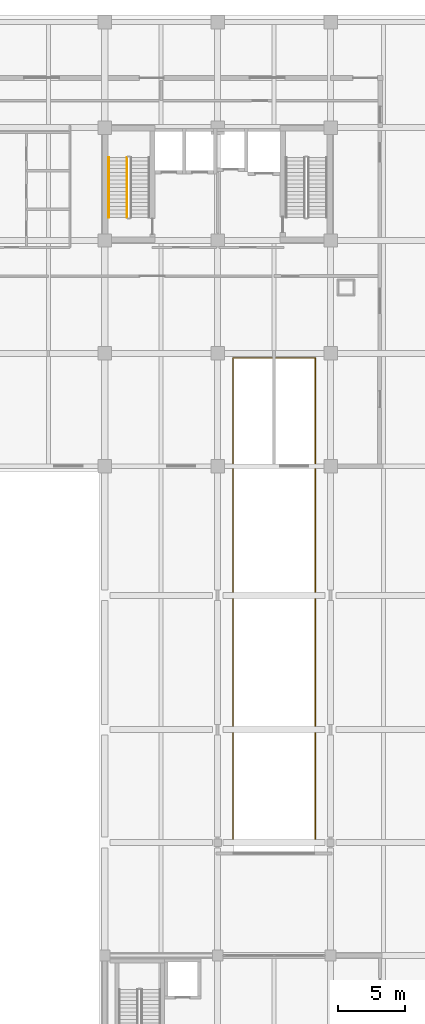
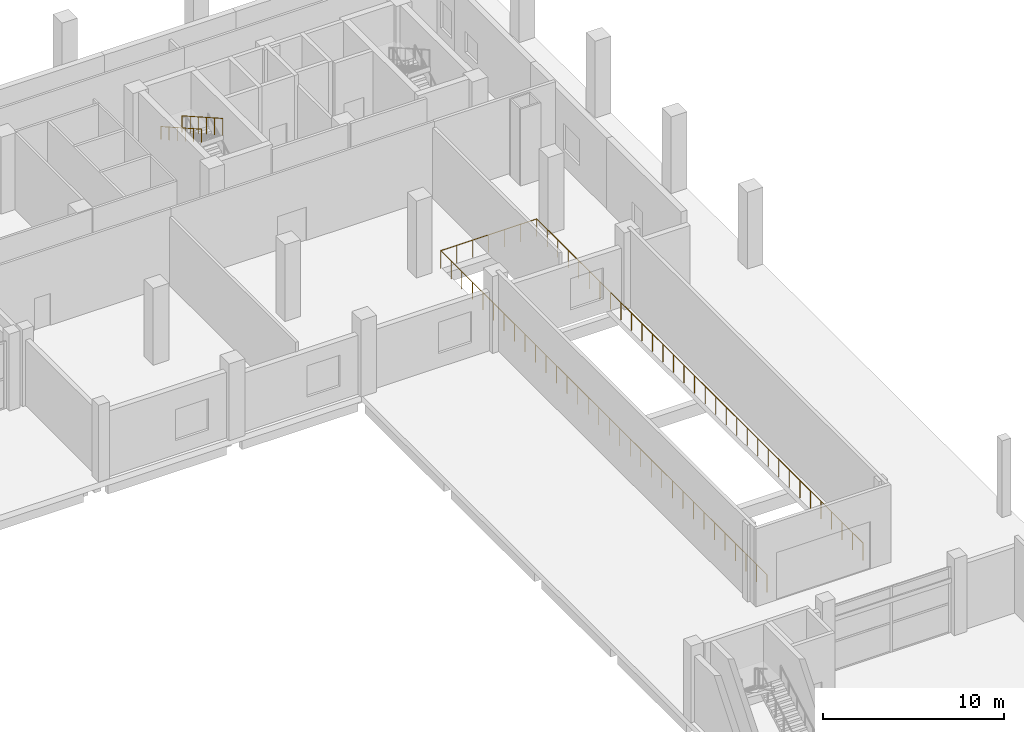
# One storey, part 32 of 34: 3 railings.
"""IFC4 building model written with IfcOpenShell, lengths in metres."""

from ifc_helpers import new_model, si_unit, direction, frame, origin, origin_2d, place, context, subcontext, project, spatial, circle, extrude, material, type_object, element, save


model = new_model("IFC4")

# Units and contexts
model_context = context("Model", 3, precision=1e-05, world=origin(), true_north=direction((0.0, 1.0)))
body_context = subcontext(model_context, "Body", "Model", "MODEL_VIEW")
ifc_project = project(units=[si_unit("LENGTHUNIT", "METRE"), si_unit("AREAUNIT", "SQUARE_METRE"), si_unit("VOLUMEUNIT", "CUBIC_METRE"), si_unit("PLANEANGLEUNIT", "RADIAN"), si_unit("MASSUNIT", "GRAM", prefix="KILO")], contexts=[model_context])

# Site, building, storey
site_placement = place(None, origin())
site = spatial("IfcSite", under=ifc_project, at=site_placement, CompositionType="ELEMENT")
building_placement = place(site_placement, origin())
building = spatial("IfcBuilding", under=site, at=building_placement, Name="Brinegate Botanical Conservatory", CompositionType="ELEMENT")
storey_placement = place(building_placement, origin())
storey = spatial("IfcBuildingStorey", under=building, at=storey_placement, Name="L01", CompositionType="ELEMENT", Elevation=0.0)

# Railings
ifc_material_1 = material(Name="Structural steel Q355B / S355 painted tubular guardrail", Category="steel")
railing_type_1 = type_object("IfcRailingType", Name="Rail_ST-GRD", PredefinedType="GUARDRAIL", material=ifc_material_1)
railing_1_placement = place(storey_placement, frame((140.449951171875, 101.3798828125, 2.85888671875)))
element("IfcRailing", 1, at=railing_1_placement, inside=storey, type_object=railing_type_1, Name="L01 ST1 stair guard 3", PredefinedType="GUARDRAIL", context=body_context, shape_type="SweptSolid", body=[
    extrude(circle(Radius=0.02392578125, at=origin_2d()), frame((0.0, 0.0, 1.1259765625), z_axis=(0.0, -0.869825572089, 0.493359376256), x_axis=(1.0, 0.0, 0.0)), (0.0, 0.0, 1.0), 5.150390625),
    extrude(circle(Radius=0.02099609375, at=origin_2d()), origin(), (0.0, 0.0, 1.0), 1.101806640625),
    extrude(circle(Radius=0.02099609375, at=origin_2d()), frame((0.0, -0.89599609375, 0.50830078125)), (0.0, 0.0, 1.0), 1.101806640625),
    extrude(circle(Radius=0.02099609375, at=origin_2d()), frame((0.0, -1.7919921875, 1.016357421875)), (0.0, 0.0, 1.0), 1.101806640625),
    extrude(circle(Radius=0.02099609375, at=origin_2d()), frame((0.0, -2.68798828125, 1.524658203125)), (0.0, 0.0, 1.0), 1.101806640625),
    extrude(circle(Radius=0.02099609375, at=origin_2d()), frame((0.0, -3.583984375, 2.03271484375)), (0.0, 0.0, 1.0), 1.101806640625),
    extrude(circle(Radius=0.02099609375, at=origin_2d()), frame((0.0, -4.47998046875, 2.541015625)), (0.0, 0.0, 1.0), 1.101806640625),
])
railing_2_placement = place(storey_placement, frame((148.340087890625, 50.39990234375, 0.0)))
element("IfcRailing", 2, at=railing_2_placement, inside=storey, type_object=railing_type_1, Name="Vehicle ramp VR-1 floor opening guard L01", PredefinedType="GUARDRAIL", context=body_context, shape_type="SweptSolid", body=[
    extrude(circle(Radius=0.02392578125, at=origin_2d()), frame((0.0, 0.0, 1.17578125), z_axis=(0.0, 1.0, 0.0), x_axis=(-1.0, 0.0, 0.0)), (0.0, 0.0, 1.0), 36.06005859375),
    extrude(circle(Radius=0.02392578125, at=origin_2d()), frame((0.0, 36.06005859375, 1.17578125), z_axis=(1.0, 0.0, 0.0), x_axis=(0.0, 1.0, 0.0)), (0.0, 0.0, 1.0), 6.119873046875),
    extrude(circle(Radius=0.02392578125, at=origin_2d()), frame((6.119873046875, 36.06005859375, 1.17578125), z_axis=(0.0, -1.0, 0.0), x_axis=(1.0, 0.0, 0.0)), (0.0, 0.0, 1.0), 36.06005859375),
    extrude(circle(Radius=0.02099609375, at=origin_2d()), origin(), (0.0, 0.0, 1.0), 1.15185546875),
    extrude(circle(Radius=0.02099609375, at=origin_2d()), frame((0.0, 1.163330078125, 0.0)), (0.0, 0.0, 1.0), 1.15185546875),
    extrude(circle(Radius=0.02099609375, at=origin_2d()), frame((0.0, 2.326416015625, 0.0)), (0.0, 0.0, 1.0), 1.15185546875),
    extrude(circle(Radius=0.02099609375, at=origin_2d()), frame((0.0, 3.48974609375, 0.0)), (0.0, 0.0, 1.0), 1.15185546875),
    extrude(circle(Radius=0.02099609375, at=origin_2d()), frame((0.0, 4.65283203125, 0.0)), (0.0, 0.0, 1.0), 1.15185546875),
    extrude(circle(Radius=0.02099609375, at=origin_2d()), frame((0.0, 5.816162109375, 0.0)), (0.0, 0.0, 1.0), 1.15185546875),
    extrude(circle(Radius=0.02099609375, at=origin_2d()), frame((0.0, 6.979248046875, 0.0)), (0.0, 0.0, 1.0), 1.15185546875),
    extrude(circle(Radius=0.02099609375, at=origin_2d()), frame((0.0, 8.142578125, 0.0)), (0.0, 0.0, 1.0), 1.15185546875),
    extrude(circle(Radius=0.02099609375, at=origin_2d()), frame((0.0, 9.305908203125, 0.0)), (0.0, 0.0, 1.0), 1.15185546875),
    extrude(circle(Radius=0.02099609375, at=origin_2d()), frame((0.0, 10.468994140625, 0.0)), (0.0, 0.0, 1.0), 1.15185546875),
    extrude(circle(Radius=0.02099609375, at=origin_2d()), frame((0.0, 11.63232421875, 0.0)), (0.0, 0.0, 1.0), 1.15185546875),
    extrude(circle(Radius=0.02099609375, at=origin_2d()), frame((0.0, 12.79541015625, 0.0)), (0.0, 0.0, 1.0), 1.15185546875),
    extrude(circle(Radius=0.02099609375, at=origin_2d()), frame((0.0, 13.958740234375, 0.0)), (0.0, 0.0, 1.0), 1.15185546875),
    extrude(circle(Radius=0.02099609375, at=origin_2d()), frame((0.0, 15.1220703125, 0.0)), (0.0, 0.0, 1.0), 1.15185546875),
    extrude(circle(Radius=0.02099609375, at=origin_2d()), frame((0.0, 16.28515625, 0.0)), (0.0, 0.0, 1.0), 1.15185546875),
    extrude(circle(Radius=0.02099609375, at=origin_2d()), frame((0.0, 17.448486328125, 0.0)), (0.0, 0.0, 1.0), 1.15185546875),
    extrude(circle(Radius=0.02099609375, at=origin_2d()), frame((0.0, 18.611572265625, 0.0)), (0.0, 0.0, 1.0), 1.15185546875),
    extrude(circle(Radius=0.02099609375, at=origin_2d()), frame((0.0, 19.77490234375, 0.0)), (0.0, 0.0, 1.0), 1.15185546875),
    extrude(circle(Radius=0.02099609375, at=origin_2d()), frame((0.0, 20.93798828125, 0.0)), (0.0, 0.0, 1.0), 1.15185546875),
    extrude(circle(Radius=0.02099609375, at=origin_2d()), frame((0.0, 22.101318359375, 0.0)), (0.0, 0.0, 1.0), 1.15185546875),
    extrude(circle(Radius=0.02099609375, at=origin_2d()), frame((0.0, 23.2646484375, 0.0)), (0.0, 0.0, 1.0), 1.15185546875),
    extrude(circle(Radius=0.02099609375, at=origin_2d()), frame((0.0, 24.427734375, 0.0)), (0.0, 0.0, 1.0), 1.15185546875),
    extrude(circle(Radius=0.02099609375, at=origin_2d()), frame((0.0, 25.591064453125, 0.0)), (0.0, 0.0, 1.0), 1.15185546875),
    extrude(circle(Radius=0.02099609375, at=origin_2d()), frame((0.0, 26.754150390625, 0.0)), (0.0, 0.0, 1.0), 1.15185546875),
    extrude(circle(Radius=0.02099609375, at=origin_2d()), frame((0.0, 27.91748046875, 0.0)), (0.0, 0.0, 1.0), 1.15185546875),
    extrude(circle(Radius=0.02099609375, at=origin_2d()), frame((0.0, 29.080810546875, 0.0)), (0.0, 0.0, 1.0), 1.15185546875),
    extrude(circle(Radius=0.02099609375, at=origin_2d()), frame((0.0, 30.243896484375, 0.0)), (0.0, 0.0, 1.0), 1.15185546875),
    extrude(circle(Radius=0.02099609375, at=origin_2d()), frame((0.0, 31.4072265625, 0.0)), (0.0, 0.0, 1.0), 1.15185546875),
    extrude(circle(Radius=0.02099609375, at=origin_2d()), frame((0.0, 32.5703125, 0.0)), (0.0, 0.0, 1.0), 1.15185546875),
    extrude(circle(Radius=0.02099609375, at=origin_2d()), frame((0.0, 33.733642578125, 0.0)), (0.0, 0.0, 1.0), 1.15185546875),
    extrude(circle(Radius=0.02099609375, at=origin_2d()), frame((0.0, 34.896728515625, 0.0)), (0.0, 0.0, 1.0), 1.15185546875),
    extrude(circle(Radius=0.02099609375, at=origin_2d()), frame((0.0, 36.06005859375, 0.0)), (0.0, 0.0, 1.0), 1.15185546875),
    extrude(circle(Radius=0.02099609375, at=origin_2d()), frame((1.02001953125, 36.06005859375, 0.0)), (0.0, 0.0, 1.0), 1.15185546875),
    extrude(circle(Radius=0.02099609375, at=origin_2d()), frame((2.0400390625, 36.06005859375, 0.0)), (0.0, 0.0, 1.0), 1.15185546875),
    extrude(circle(Radius=0.02099609375, at=origin_2d()), frame((3.06005859375, 36.06005859375, 0.0)), (0.0, 0.0, 1.0), 1.15185546875),
    extrude(circle(Radius=0.02099609375, at=origin_2d()), frame((4.079833984375, 36.06005859375, 0.0)), (0.0, 0.0, 1.0), 1.15185546875),
    extrude(circle(Radius=0.02099609375, at=origin_2d()), frame((5.099853515625, 36.06005859375, 0.0)), (0.0, 0.0, 1.0), 1.15185546875),
    extrude(circle(Radius=0.02099609375, at=origin_2d()), frame((6.119873046875, 36.06005859375, 0.0)), (0.0, 0.0, 1.0), 1.15185546875),
    extrude(circle(Radius=0.02099609375, at=origin_2d()), frame((6.119873046875, 34.896728515625, 0.0)), (0.0, 0.0, 1.0), 1.15185546875),
    extrude(circle(Radius=0.02099609375, at=origin_2d()), frame((6.119873046875, 33.733642578125, 0.0)), (0.0, 0.0, 1.0), 1.15185546875),
    extrude(circle(Radius=0.02099609375, at=origin_2d()), frame((6.119873046875, 32.5703125, 0.0)), (0.0, 0.0, 1.0), 1.15185546875),
    extrude(circle(Radius=0.02099609375, at=origin_2d()), frame((6.119873046875, 31.4072265625, 0.0)), (0.0, 0.0, 1.0), 1.15185546875),
    extrude(circle(Radius=0.02099609375, at=origin_2d()), frame((6.119873046875, 30.243896484375, 0.0)), (0.0, 0.0, 1.0), 1.15185546875),
    extrude(circle(Radius=0.02099609375, at=origin_2d()), frame((6.119873046875, 29.080810546875, 0.0)), (0.0, 0.0, 1.0), 1.15185546875),
    extrude(circle(Radius=0.02099609375, at=origin_2d()), frame((6.119873046875, 27.91748046875, 0.0)), (0.0, 0.0, 1.0), 1.15185546875),
    extrude(circle(Radius=0.02099609375, at=origin_2d()), frame((6.119873046875, 26.754150390625, 0.0)), (0.0, 0.0, 1.0), 1.15185546875),
    extrude(circle(Radius=0.02099609375, at=origin_2d()), frame((6.119873046875, 25.591064453125, 0.0)), (0.0, 0.0, 1.0), 1.15185546875),
    extrude(circle(Radius=0.02099609375, at=origin_2d()), frame((6.119873046875, 24.427734375, 0.0)), (0.0, 0.0, 1.0), 1.15185546875),
    extrude(circle(Radius=0.02099609375, at=origin_2d()), frame((6.119873046875, 23.2646484375, 0.0)), (0.0, 0.0, 1.0), 1.15185546875),
    extrude(circle(Radius=0.02099609375, at=origin_2d()), frame((6.119873046875, 22.101318359375, 0.0)), (0.0, 0.0, 1.0), 1.15185546875),
    extrude(circle(Radius=0.02099609375, at=origin_2d()), frame((6.119873046875, 20.93798828125, 0.0)), (0.0, 0.0, 1.0), 1.15185546875),
    extrude(circle(Radius=0.02099609375, at=origin_2d()), frame((6.119873046875, 19.77490234375, 0.0)), (0.0, 0.0, 1.0), 1.15185546875),
    extrude(circle(Radius=0.02099609375, at=origin_2d()), frame((6.119873046875, 18.611572265625, 0.0)), (0.0, 0.0, 1.0), 1.15185546875),
    extrude(circle(Radius=0.02099609375, at=origin_2d()), frame((6.119873046875, 17.448486328125, 0.0)), (0.0, 0.0, 1.0), 1.15185546875),
    extrude(circle(Radius=0.02099609375, at=origin_2d()), frame((6.119873046875, 16.28515625, 0.0)), (0.0, 0.0, 1.0), 1.15185546875),
    extrude(circle(Radius=0.02099609375, at=origin_2d()), frame((6.119873046875, 15.1220703125, 0.0)), (0.0, 0.0, 1.0), 1.15185546875),
    extrude(circle(Radius=0.02099609375, at=origin_2d()), frame((6.119873046875, 13.958740234375, 0.0)), (0.0, 0.0, 1.0), 1.15185546875),
    extrude(circle(Radius=0.02099609375, at=origin_2d()), frame((6.119873046875, 12.79541015625, 0.0)), (0.0, 0.0, 1.0), 1.15185546875),
    extrude(circle(Radius=0.02099609375, at=origin_2d()), frame((6.119873046875, 11.63232421875, 0.0)), (0.0, 0.0, 1.0), 1.15185546875),
    extrude(circle(Radius=0.02099609375, at=origin_2d()), frame((6.119873046875, 10.468994140625, 0.0)), (0.0, 0.0, 1.0), 1.15185546875),
    extrude(circle(Radius=0.02099609375, at=origin_2d()), frame((6.119873046875, 9.305908203125, 0.0)), (0.0, 0.0, 1.0), 1.15185546875),
    extrude(circle(Radius=0.02099609375, at=origin_2d()), frame((6.119873046875, 8.142578125, 0.0)), (0.0, 0.0, 1.0), 1.15185546875),
    extrude(circle(Radius=0.02099609375, at=origin_2d()), frame((6.119873046875, 6.979248046875, 0.0)), (0.0, 0.0, 1.0), 1.15185546875),
    extrude(circle(Radius=0.02099609375, at=origin_2d()), frame((6.119873046875, 5.816162109375, 0.0)), (0.0, 0.0, 1.0), 1.15185546875),
    extrude(circle(Radius=0.02099609375, at=origin_2d()), frame((6.119873046875, 4.65283203125, 0.0)), (0.0, 0.0, 1.0), 1.15185546875),
    extrude(circle(Radius=0.02099609375, at=origin_2d()), frame((6.119873046875, 3.48974609375, 0.0)), (0.0, 0.0, 1.0), 1.15185546875),
    extrude(circle(Radius=0.02099609375, at=origin_2d()), frame((6.119873046875, 2.326416015625, 0.0)), (0.0, 0.0, 1.0), 1.15185546875),
    extrude(circle(Radius=0.02099609375, at=origin_2d()), frame((6.119873046875, 1.163330078125, 0.0)), (0.0, 0.0, 1.0), 1.15185546875),
    extrude(circle(Radius=0.02099609375, at=origin_2d()), frame((6.119873046875, 0.0, 0.0)), (0.0, 0.0, 1.0), 1.15185546875),
])
ifc_material_2 = material(Name="Brushed stainless steel S355 handrail", Category="steel")
railing_type_2 = type_object("IfcRailingType", Name="Rail_ST-HND", PredefinedType="HANDRAIL", material=ifc_material_2)
railing_3_placement = place(storey_placement, frame((139.10009765625, 101.3798828125, 2.85888671875)))
element("IfcRailing", 3, at=railing_3_placement, inside=storey, type_object=railing_type_2, Name="L01 ST1 stair handrail 2", PredefinedType="HANDRAIL", context=body_context, shape_type="SweptSolid", body=[
    extrude(circle(Radius=0.02392578125, at=origin_2d()), frame((0.0, 0.0, 0.8759765625), z_axis=(0.0, -0.869825572089, 0.493359376256), x_axis=(1.0, 0.0, 0.0)), (0.0, 0.0, 1.0), 5.150390625),
    extrude(circle(Radius=0.02099609375, at=origin_2d()), origin(), (0.0, 0.0, 1.0), 0.851806640625),
    extrude(circle(Radius=0.02099609375, at=origin_2d()), frame((0.0, -0.89599609375, 0.50830078125)), (0.0, 0.0, 1.0), 0.851806640625),
    extrude(circle(Radius=0.02099609375, at=origin_2d()), frame((0.0, -1.7919921875, 1.016357421875)), (0.0, 0.0, 1.0), 0.851806640625),
    extrude(circle(Radius=0.02099609375, at=origin_2d()), frame((0.0, -2.68798828125, 1.524658203125)), (0.0, 0.0, 1.0), 0.851806640625),
    extrude(circle(Radius=0.02099609375, at=origin_2d()), frame((0.0, -3.583984375, 2.03271484375)), (0.0, 0.0, 1.0), 0.851806640625),
    extrude(circle(Radius=0.02099609375, at=origin_2d()), frame((0.0, -4.47998046875, 2.541015625)), (0.0, 0.0, 1.0), 0.851806640625),
])

save(model, "model.ifc")
